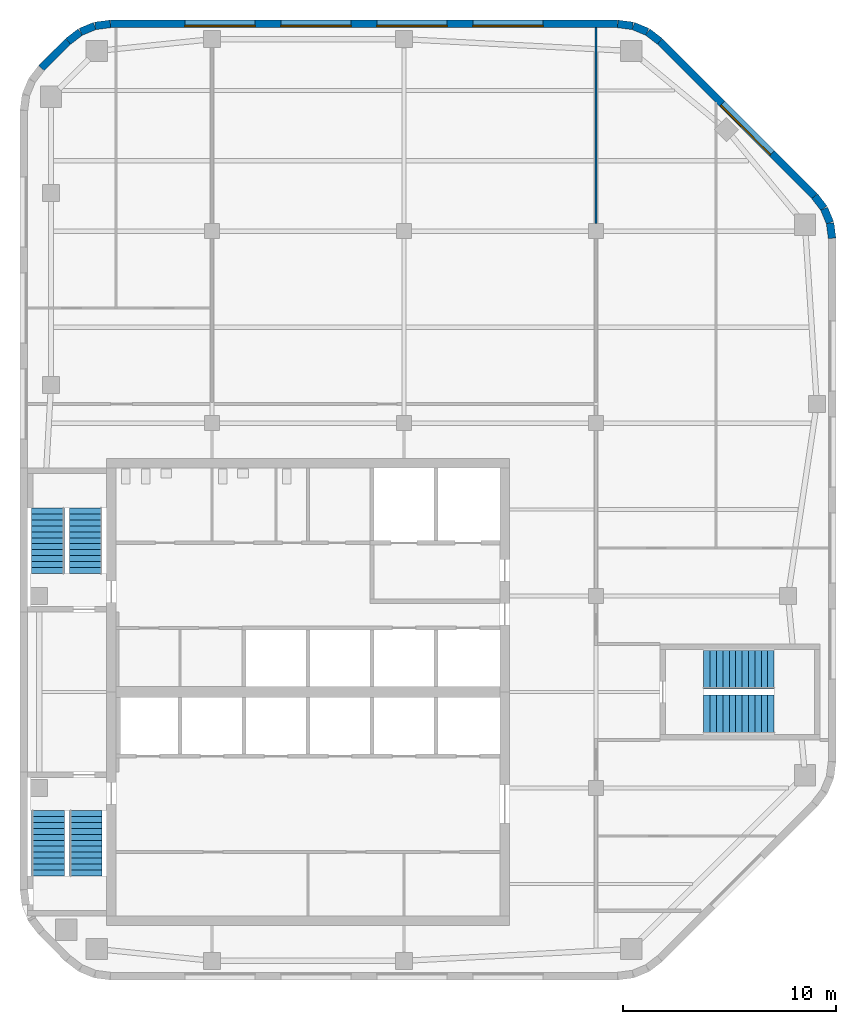
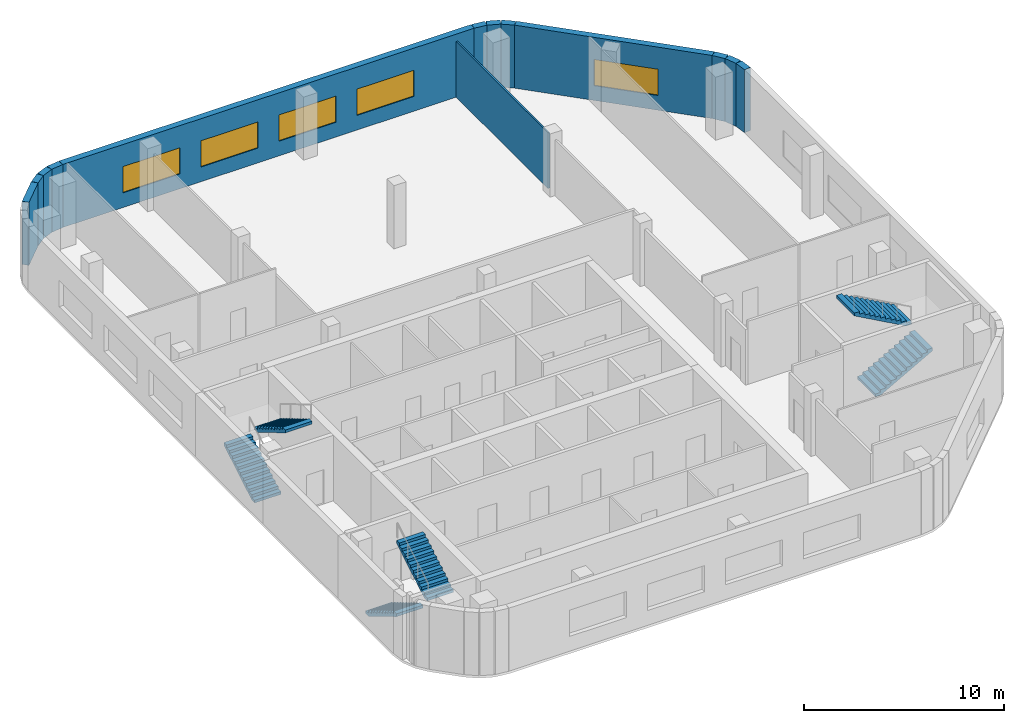
# One storey, part 5 of 7: 13 walls, 6 stair flights, 5 windows, 5 openings, 3 elements without a shape of their own.
"""IFC4 building model written with IfcOpenShell, lengths in metres."""

from ifc_helpers import new_model, si_unit, direction, frame, frame_2d, origin, place, context, subcontext, project, spatial, polyline, rectangle, outline, extrude, material, layer, layer_set, type_object, element, fill, aggregate, save


model = new_model("IFC4")

# Units and contexts
model_context = context("Model", 3, precision=1e-05, world=origin(), true_north=direction((0.0, 1.0)))
body_context = subcontext(model_context, "Body", "Model", "MODEL_VIEW")
ifc_project = project(units=[si_unit("LENGTHUNIT", "METRE"), si_unit("AREAUNIT", "SQUARE_METRE"), si_unit("VOLUMEUNIT", "CUBIC_METRE"), si_unit("PLANEANGLEUNIT", "RADIAN"), si_unit("MASSUNIT", "GRAM", prefix="KILO")], contexts=[model_context])

# Site, building, storey
site_placement = place(None, origin())
site = spatial("IfcSite", under=ifc_project, at=site_placement, CompositionType="ELEMENT")
building_placement = place(site_placement, origin())
building = spatial("IfcBuilding", under=site, at=building_placement, Name="Cinnabar Reach Civic Tower", CompositionType="ELEMENT")
storey_placement = place(building_placement, frame((0.0, 0.0, 271.0)))
storey = spatial("IfcBuildingStorey", under=building, at=storey_placement, Name="L65", CompositionType="ELEMENT", Elevation=271.0)

# Walls
ifc_material_1 = material(Name="Facing brick with insulated backing", Category="masonry")
ifc_layer_1 = layer(ifc_material_1, 0.36)
ifc_layer_set_1 = layer_set([ifc_layer_1], Name="Brick corner wall")
wall_type_1 = type_object("IfcWallType", Name="Brick corner wall", PredefinedType="STANDARD", material=ifc_layer_set_1)
for number, where, z_axis, x_axis, name in (
    (1, (38.067, 52.7686, 0.0), (0.0, 0.0, 1.0), (-0.13055608231, 0.99144092581, 0.0), "Brick corner wall"),
    (2, (37.9681, 53.4973, 0.0), (0.0, 0.0, 1.0), (-0.382702709855, 0.923871547278, 0.0), "Brick corner wall"),
):
    element("IfcWall", number, at=place(storey_placement, frame(where, z_axis=z_axis, x_axis=x_axis)), inside=storey, type_object=wall_type_1, Name=name, PredefinedType="STANDARD", context=body_context, shape_type="SweptSolid", body=[
        extrude(rectangle(XDim=0.7131, YDim=0.36, at=frame_2d((0.3565, 0.0))), origin(), (0.0, 0.0, 1.0), 3.85),
    ])
for number, where, z_axis, x_axis, name in (
    (3, (37.684, 54.1755, 0.0), (0.0, 0.0, 1.0), (-0.608802368033, 0.793321924995, 0.0), "Brick corner wall"),
    (4, (29.9913, 61.9998, 0.0), (0.0, 0.0, 1.0), (-0.793321924995, 0.608802368033, 0.0), "Brick corner wall"),
):
    element("IfcWall", number, at=place(storey_placement, frame(where, z_axis=z_axis, x_axis=x_axis)), inside=storey, type_object=wall_type_1, Name=name, PredefinedType="STANDARD", context=body_context, shape_type="SweptSolid", body=[
        extrude(rectangle(XDim=0.7132, YDim=0.36, at=frame_2d((0.3566, 0.0))), origin(), (0.0, 0.0, 1.0), 3.85),
    ])
for number, where, z_axis, x_axis, name in (
    (5, (29.4061, 62.4452, 0.0), (0.0, 0.0, 1.0), (-0.923871547278, 0.382702709855, 0.0), "Brick corner wall"),
    (6, (28.7256, 62.7239, 0.0), (0.0, 0.0, 1.0), (-0.99144092581, 0.13055608231, 0.0), "Brick corner wall"),
    (7, (4.2314, 62.817, 0.0), (0.0, 0.0, 1.0), (-0.99144092581, -0.13055608231, 0.0), "Brick corner wall"),
    (8, (3.5027, 62.7181, 0.0), (0.0, 0.0, 1.0), (-0.923871547278, -0.382702709855, 0.0), "Brick corner wall"),
):
    element("IfcWall", number, at=place(storey_placement, frame(where, z_axis=z_axis, x_axis=x_axis)), inside=storey, type_object=wall_type_1, Name=name, PredefinedType="STANDARD", context=body_context, shape_type="SweptSolid", body=[
        extrude(rectangle(XDim=0.7131, YDim=0.36, at=frame_2d((0.3565, 0.0))), origin(), (0.0, 0.0, 1.0), 3.85),
    ])
wall_1_placement = place(storey_placement, frame((2.8245, 62.434, 0.0), z_axis=(0.0, 0.0, 1.0), x_axis=(-0.793321924995, -0.608802368033, 0.0)))
element("IfcWall", 9, at=wall_1_placement, inside=storey, type_object=wall_type_1, Name="Brick corner wall", PredefinedType="STANDARD", context=body_context, shape_type="SweptSolid", body=[
    extrude(rectangle(XDim=0.7132, YDim=0.36, at=frame_2d((0.3566, 0.0))), origin(), (0.0, 0.0, 1.0), 3.85),
])

# Wall, opening, window
ifc_layer_2 = layer(ifc_material_1, 0.36)
ifc_layer_set_2 = layer_set([ifc_layer_2], Name="Brick pier and spandrel wall")
wall_type_2 = type_object("IfcWallType", Name="Brick pier and spandrel wall", PredefinedType="STANDARD", material=ifc_layer_set_2)
wall_2_placement = place(storey_placement, frame((37.244, 54.7514, 0.0), z_axis=(0.0, 0.0, 1.0), x_axis=(-0.707106781187, 0.707106781187, 0.0)))
wall_2 = element("IfcWall", 10, at=wall_2_placement, inside=storey, type_object=wall_type_2, Name="Brick facade wall", PredefinedType="STANDARD", context=body_context, shape_type="SweptSolid", body=[
    extrude(rectangle(XDim=10.2426, YDim=0.36, at=frame_2d((5.1213, 0.0))), origin(), (0.0, 0.0, 1.0), 3.85),
])
opening_1_placement = place(wall_2_placement, frame((2.8213, 0.0, 0.9)))
opening_1 = element("IfcOpeningElement", 11, at=opening_1_placement, cuts=wall_2, Name="Opening W2288", PredefinedType="OPENING", context=body_context, shape_type="SweptSolid", body=[
    extrude(rectangle(XDim=3.3, YDim=1.6, at=frame_2d((1.65, 0.8))), frame((0.0, 0.19, 0.0), z_axis=(0.0, -1.0, 0.0), x_axis=(1.0, 0.0, 0.0)), (0.0, 0.0, 1.0), 0.38),
])
ifc_material_2 = material(Name="Clear double glazing in aluminium frame", Category="aluminium")
window_type = type_object("IfcWindowType", Name="Deep-set window A", PartitioningType="SINGLE_PANEL", PredefinedType="WINDOW", material=ifc_material_2)
window_1_placement = place(opening_1_placement, origin())
window_1 = element("IfcWindow", 12, at=window_1_placement, inside=storey, type_object=window_type, Name="Window northeast face", OverallHeight=1.6, OverallWidth=3.3, PartitioningType="SINGLE_PANEL", PredefinedType="WINDOW", context=body_context, shape_type="SweptSolid", body=[
    extrude(rectangle(XDim=3.3, YDim=1.6, at=frame_2d((1.65, 0.8))), frame((0.0, 0.13, 0.0), z_axis=(0.0, -1.0, 0.0), x_axis=(1.0, 0.0, 0.0)), (0.0, 0.0, 1.0), 0.06),
])
fill(opening_1, window_1)

# Wall, openings, windows
wall_3_placement = place(storey_placement, frame((28.0074, 62.82, 0.0), z_axis=(0.0, 0.0, 1.0), x_axis=(-1.0, 0.0, 0.0)))
wall_3 = element("IfcWall", 13, at=wall_3_placement, inside=storey, type_object=wall_type_2, Name="Brick facade wall", PredefinedType="STANDARD", context=body_context, shape_type="SweptSolid", body=[
    extrude(rectangle(XDim=23.7648, YDim=0.36, at=frame_2d((11.8824, 0.0))), origin(), (0.0, 0.0, 1.0), 3.85),
])
opening_2_placement = place(wall_3_placement, frame((3.4824, 0.0, 0.9)))
opening_2 = element("IfcOpeningElement", 14, at=opening_2_placement, cuts=wall_3, Name="Opening W2289", PredefinedType="OPENING", context=body_context, shape_type="SweptSolid", body=[
    extrude(rectangle(XDim=3.3, YDim=1.6, at=frame_2d((1.65, 0.8))), frame((0.0, 0.19, 0.0), z_axis=(0.0, -1.0, 0.0), x_axis=(1.0, 0.0, 0.0)), (0.0, 0.0, 1.0), 0.38),
])
opening_3_placement = place(wall_3_placement, frame((7.9824, 0.0, 0.9)))
opening_3 = element("IfcOpeningElement", 15, at=opening_3_placement, cuts=wall_3, Name="Opening W2290", PredefinedType="OPENING", context=body_context, shape_type="SweptSolid", body=[
    extrude(rectangle(XDim=3.3, YDim=1.6, at=frame_2d((1.65, 0.8))), frame((0.0, 0.19, 0.0), z_axis=(0.0, -1.0, 0.0), x_axis=(1.0, 0.0, 0.0)), (0.0, 0.0, 1.0), 0.38),
])
opening_4_placement = place(wall_3_placement, frame((12.4824, 0.0, 0.9)))
opening_4 = element("IfcOpeningElement", 16, at=opening_4_placement, cuts=wall_3, Name="Opening W2291", PredefinedType="OPENING", context=body_context, shape_type="SweptSolid", body=[
    extrude(rectangle(XDim=3.3, YDim=1.6, at=frame_2d((1.65, 0.8))), frame((0.0, 0.19, 0.0), z_axis=(0.0, -1.0, 0.0), x_axis=(1.0, 0.0, 0.0)), (0.0, 0.0, 1.0), 0.38),
])
opening_5_placement = place(wall_3_placement, frame((16.9824, 0.0, 0.9)))
opening_5 = element("IfcOpeningElement", 17, at=opening_5_placement, cuts=wall_3, Name="Opening W2292", PredefinedType="OPENING", context=body_context, shape_type="SweptSolid", body=[
    extrude(rectangle(XDim=3.3, YDim=1.6, at=frame_2d((1.65, 0.8))), frame((0.0, 0.19, 0.0), z_axis=(0.0, -1.0, 0.0), x_axis=(1.0, 0.0, 0.0)), (0.0, 0.0, 1.0), 0.38),
])
window_2_placement = place(opening_2_placement, origin())
window_2 = element("IfcWindow", 18, at=window_2_placement, inside=storey, type_object=window_type, Name="Window north face", OverallHeight=1.6, OverallWidth=3.3, PartitioningType="SINGLE_PANEL", PredefinedType="WINDOW", context=body_context, shape_type="SweptSolid", body=[
    extrude(rectangle(XDim=3.3, YDim=1.6, at=frame_2d((1.65, 0.8))), frame((0.0, 0.13, 0.0), z_axis=(0.0, -1.0, 0.0), x_axis=(1.0, 0.0, 0.0)), (0.0, 0.0, 1.0), 0.06),
])
fill(opening_2, window_2)
window_3_placement = place(opening_3_placement, origin())
window_3 = element("IfcWindow", 19, at=window_3_placement, inside=storey, type_object=window_type, Name="Window north face", OverallHeight=1.6, OverallWidth=3.3, PartitioningType="SINGLE_PANEL", PredefinedType="WINDOW", context=body_context, shape_type="SweptSolid", body=[
    extrude(rectangle(XDim=3.3, YDim=1.6, at=frame_2d((1.65, 0.8))), frame((0.0, 0.13, 0.0), z_axis=(0.0, -1.0, 0.0), x_axis=(1.0, 0.0, 0.0)), (0.0, 0.0, 1.0), 0.06),
])
fill(opening_3, window_3)
window_4_placement = place(opening_4_placement, origin())
window_4 = element("IfcWindow", 20, at=window_4_placement, inside=storey, type_object=window_type, Name="Window north face", OverallHeight=1.6, OverallWidth=3.3, PartitioningType="SINGLE_PANEL", PredefinedType="WINDOW", context=body_context, shape_type="SweptSolid", body=[
    extrude(rectangle(XDim=3.3, YDim=1.6, at=frame_2d((1.65, 0.8))), frame((0.0, 0.13, 0.0), z_axis=(0.0, -1.0, 0.0), x_axis=(1.0, 0.0, 0.0)), (0.0, 0.0, 1.0), 0.06),
])
fill(opening_4, window_4)
window_5_placement = place(opening_5_placement, origin())
window_5 = element("IfcWindow", 21, at=window_5_placement, inside=storey, type_object=window_type, Name="Window north face", OverallHeight=1.6, OverallWidth=3.3, PartitioningType="SINGLE_PANEL", PredefinedType="WINDOW", context=body_context, shape_type="SweptSolid", body=[
    extrude(rectangle(XDim=3.3, YDim=1.6, at=frame_2d((1.65, 0.8))), frame((0.0, 0.13, 0.0), z_axis=(0.0, -1.0, 0.0), x_axis=(1.0, 0.0, 0.0)), (0.0, 0.0, 1.0), 0.06),
])
fill(opening_5, window_5)

# Walls
wall_4_placement = place(storey_placement, frame((2.2486, 61.994, 0.0), z_axis=(0.0, 0.0, 1.0), x_axis=(-0.707106781187, -0.707106781187, 0.0)))
element("IfcWall", 22, at=wall_4_placement, inside=storey, type_object=wall_type_2, Name="Brick facade wall", PredefinedType="STANDARD", context=body_context, shape_type="SweptSolid", body=[
    extrude(rectangle(XDim=1.7573, YDim=0.36, at=frame_2d((0.8787, 0.0))), origin(), (0.0, 0.0, 1.0), 3.85),
])
ifc_material_3 = material(Name="Gypsum board on steel studs", Category="steel")
ifc_layer_3 = layer(ifc_material_3, 0.1)
ifc_layer_set_3 = layer_set([ifc_layer_3], Name="Partition wall 100 T1")
wall_type_3 = type_object("IfcWallType", Name="Partition wall 100 T1", PredefinedType="PARTITIONING", material=ifc_layer_set_3)
wall_5_placement = place(storey_placement, frame((27.0, 53.45, 0.0), z_axis=(0.0, 0.0, 1.0), x_axis=(0.0, 1.0, 0.0)))
element("IfcWall", 23, at=wall_5_placement, inside=storey, type_object=wall_type_3, Name="Partition wall 39", PredefinedType="PARTITIONING", context=body_context, shape_type="SweptSolid", body=[
    extrude(rectangle(XDim=9.19, YDim=0.1, at=frame_2d((4.595, 0.0))), origin(), (0.0, 0.0, 1.0), 3.4),
])

# Stair, stair flights
ifc_material_4 = material(Name="Concrete C40/50", Category="concrete")
stair_type = type_object("IfcStairType", Name="T1 Exit stair, half-turn", PredefinedType="HALF_TURN_STAIR", material=ifc_material_4)
stair_1_placement = place(storey_placement, origin())
stair_1 = element("IfcStair", 24, at=stair_1_placement, inside=storey, type_object=stair_type, Name="Stair T1-S1", PredefinedType="HALF_TURN_STAIR")
stair_flight_type = type_object("IfcStairFlightType", Name="T1 Stair flight, concrete", PredefinedType="STRAIGHT", material=ifc_material_4)
stair_flight_1_placement = place(storey_placement, frame((1.3125, 25.95, 0.0), z_axis=(0.0, 0.0, 1.0), x_axis=(0.0, -1.0, 0.0)))
stair_flight_1 = element("IfcStairFlight", 25, at=stair_flight_1_placement, type_object=stair_flight_type, Name="T1-S1 flight 1", NumberOfRisers=12, NumberOfTreads=11, PredefinedType="STRAIGHT", RiserHeight=0.166666667, TreadLength=0.28, context=body_context, shape_type="SweptSolid", body=[
    extrude(outline(polyline([(0.0, 0.0), (0.0, 0.1667), (0.28, 0.1667), (0.28, 0.3333), (0.56, 0.3333), (0.56, 0.5), (0.84, 0.5), (0.84, 0.6667), (1.12, 0.6667), (1.12, 0.8333), (1.4, 0.8333), (1.4, 1.0), (1.68, 1.0), (1.68, 1.1667), (1.96, 1.1667), (1.96, 1.3333), (2.24, 1.3333), (2.24, 1.5), (2.52, 1.5), (2.52, 1.6667), (2.8, 1.6667), (2.8, 1.8333), (3.08, 1.8333), (3.08, 2.0), (3.08, 1.6588), (0.2933, 0.0), (0.0, 0.0)])), frame((0.0, 0.7625, 0.0), z_axis=(0.0, -1.0, 0.0), x_axis=(1.0, 0.0, 0.0)), (0.0, 0.0, 1.0), 1.525),
])
stair_flight_2_placement = place(storey_placement, frame((3.0875, 22.87, 2.0), z_axis=(0.0, 0.0, 1.0), x_axis=(0.0, 1.0, 0.0)))
stair_flight_2 = element("IfcStairFlight", 26, at=stair_flight_2_placement, type_object=stair_flight_type, Name="T1-S1 flight 2", NumberOfRisers=12, NumberOfTreads=11, PredefinedType="STRAIGHT", RiserHeight=0.166666667, TreadLength=0.28, context=body_context, shape_type="SweptSolid", body=[
    extrude(outline(polyline([(0.0, 0.0), (0.0, 0.1667), (0.28, 0.1667), (0.28, 0.3333), (0.56, 0.3333), (0.56, 0.5), (0.84, 0.5), (0.84, 0.6667), (1.12, 0.6667), (1.12, 0.8333), (1.4, 0.8333), (1.4, 1.0), (1.68, 1.0), (1.68, 1.1667), (1.96, 1.1667), (1.96, 1.3333), (2.24, 1.3333), (2.24, 1.5), (2.52, 1.5), (2.52, 1.6667), (2.8, 1.6667), (2.8, 1.8333), (3.08, 1.8333), (3.08, 2.0), (3.08, 1.6588), (0.2933, 0.0), (0.0, 0.0)])), frame((0.0, 0.7625, 0.0), z_axis=(0.0, -1.0, 0.0), x_axis=(1.0, 0.0, 0.0)), (0.0, 0.0, 1.0), 1.525),
])
aggregate(stair_1, [stair_flight_1, stair_flight_2])

stair_2_placement = place(storey_placement, origin())
stair_2 = element("IfcStair", 27, at=stair_2_placement, inside=storey, type_object=stair_type, Name="Stair T1-S2", PredefinedType="HALF_TURN_STAIR")
stair_flight_3_placement = place(storey_placement, frame((1.3125, 37.05, 0.0), z_axis=(0.0, 0.0, 1.0), x_axis=(0.0, 1.0, 0.0)))
stair_flight_3 = element("IfcStairFlight", 28, at=stair_flight_3_placement, type_object=stair_flight_type, Name="T1-S2 flight 1", NumberOfRisers=12, NumberOfTreads=11, PredefinedType="STRAIGHT", RiserHeight=0.166666667, TreadLength=0.28, context=body_context, shape_type="SweptSolid", body=[
    extrude(outline(polyline([(0.0, 0.0), (0.0, 0.1667), (0.28, 0.1667), (0.28, 0.3333), (0.56, 0.3333), (0.56, 0.5), (0.84, 0.5), (0.84, 0.6667), (1.12, 0.6667), (1.12, 0.8333), (1.4, 0.8333), (1.4, 1.0), (1.68, 1.0), (1.68, 1.1667), (1.96, 1.1667), (1.96, 1.3333), (2.24, 1.3333), (2.24, 1.5), (2.52, 1.5), (2.52, 1.6667), (2.8, 1.6667), (2.8, 1.8333), (3.08, 1.8333), (3.08, 2.0), (3.08, 1.6588), (0.2933, 0.0), (0.0, 0.0)])), frame((0.0, 0.7625, 0.0), z_axis=(0.0, -1.0, 0.0), x_axis=(1.0, 0.0, 0.0)), (0.0, 0.0, 1.0), 1.525),
])
stair_flight_4_placement = place(storey_placement, frame((3.0875, 40.13, 2.0), z_axis=(0.0, 0.0, 1.0), x_axis=(0.0, -1.0, 0.0)))
stair_flight_4 = element("IfcStairFlight", 29, at=stair_flight_4_placement, type_object=stair_flight_type, Name="T1-S2 flight 2", NumberOfRisers=12, NumberOfTreads=11, PredefinedType="STRAIGHT", RiserHeight=0.166666667, TreadLength=0.28, context=body_context, shape_type="SweptSolid", body=[
    extrude(outline(polyline([(0.0, 0.0), (0.0, 0.1667), (0.28, 0.1667), (0.28, 0.3333), (0.56, 0.3333), (0.56, 0.5), (0.84, 0.5), (0.84, 0.6667), (1.12, 0.6667), (1.12, 0.8333), (1.4, 0.8333), (1.4, 1.0), (1.68, 1.0), (1.68, 1.1667), (1.96, 1.1667), (1.96, 1.3333), (2.24, 1.3333), (2.24, 1.5), (2.52, 1.5), (2.52, 1.6667), (2.8, 1.6667), (2.8, 1.8333), (3.08, 1.8333), (3.08, 2.0), (3.08, 1.6588), (0.2933, 0.0), (0.0, 0.0)])), frame((0.0, 0.7625, 0.0), z_axis=(0.0, -1.0, 0.0), x_axis=(1.0, 0.0, 0.0)), (0.0, 0.0, 1.0), 1.525),
])
aggregate(stair_2, [stair_flight_3, stair_flight_4])

stair_3_placement = place(storey_placement, origin())
stair_3 = element("IfcStair", 30, at=stair_3_placement, inside=storey, type_object=stair_type, Name="Stair T1-S3", PredefinedType="HALF_TURN_STAIR")
stair_flight_5_placement = place(storey_placement, frame((32.05, 30.45, 0.0), z_axis=(0.0, 0.0, 1.0), x_axis=(1.0, 0.0, 0.0)))
stair_flight_5 = element("IfcStairFlight", 31, at=stair_flight_5_placement, type_object=stair_flight_type, Name="T1-S3 flight 1", NumberOfRisers=12, NumberOfTreads=11, PredefinedType="STRAIGHT", RiserHeight=0.166666667, TreadLength=0.3, context=body_context, shape_type="SweptSolid", body=[
    extrude(outline(polyline([(0.0, 0.0), (0.0, 0.1667), (0.3, 0.1667), (0.3, 0.3333), (0.6, 0.3333), (0.6, 0.5), (0.9, 0.5), (0.9, 0.6667), (1.2, 0.6667), (1.2, 0.8333), (1.5, 0.8333), (1.5, 1.0), (1.8, 1.0), (1.8, 1.1667), (2.1, 1.1667), (2.1, 1.3333), (2.4, 1.3333), (2.4, 1.5), (2.7, 1.5), (2.7, 1.6667), (3.0, 1.6667), (3.0, 1.8333), (3.3, 1.8333), (3.3, 2.0), (3.3, 1.6617), (0.3089, 0.0), (0.0, 0.0)])), frame((0.0, 0.9, 0.0), z_axis=(0.0, -1.0, 0.0), x_axis=(1.0, 0.0, 0.0)), (0.0, 0.0, 1.0), 1.8),
])
stair_flight_6_placement = place(storey_placement, frame((35.35, 32.55, 2.0), z_axis=(0.0, 0.0, 1.0), x_axis=(-1.0, 0.0, 0.0)))
stair_flight_6 = element("IfcStairFlight", 32, at=stair_flight_6_placement, type_object=stair_flight_type, Name="T1-S3 flight 2", NumberOfRisers=12, NumberOfTreads=11, PredefinedType="STRAIGHT", RiserHeight=0.166666667, TreadLength=0.3, context=body_context, shape_type="SweptSolid", body=[
    extrude(outline(polyline([(0.0, 0.0), (0.0, 0.1667), (0.3, 0.1667), (0.3, 0.3333), (0.6, 0.3333), (0.6, 0.5), (0.9, 0.5), (0.9, 0.6667), (1.2, 0.6667), (1.2, 0.8333), (1.5, 0.8333), (1.5, 1.0), (1.8, 1.0), (1.8, 1.1667), (2.1, 1.1667), (2.1, 1.3333), (2.4, 1.3333), (2.4, 1.5), (2.7, 1.5), (2.7, 1.6667), (3.0, 1.6667), (3.0, 1.8333), (3.3, 1.8333), (3.3, 2.0), (3.3, 1.6617), (0.3089, 0.0), (0.0, 0.0)])), frame((0.0, 0.9, 0.0), z_axis=(0.0, -1.0, 0.0), x_axis=(1.0, 0.0, 0.0)), (0.0, 0.0, 1.0), 1.8),
])
aggregate(stair_3, [stair_flight_5, stair_flight_6])

save(model, "model.ifc")
